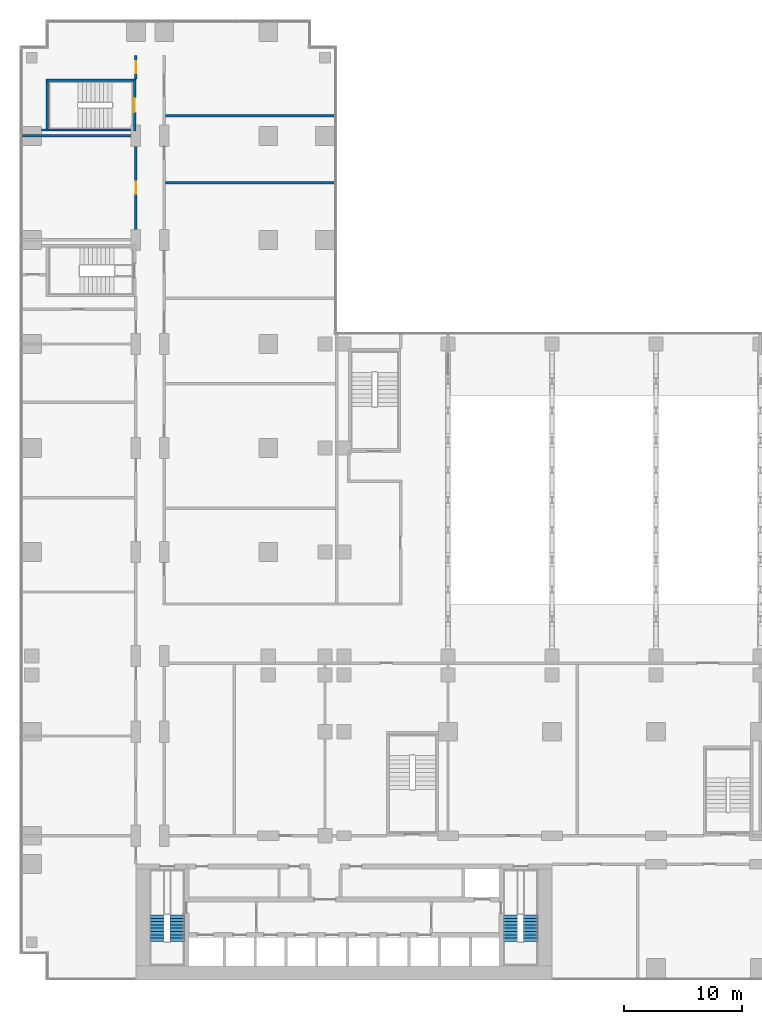
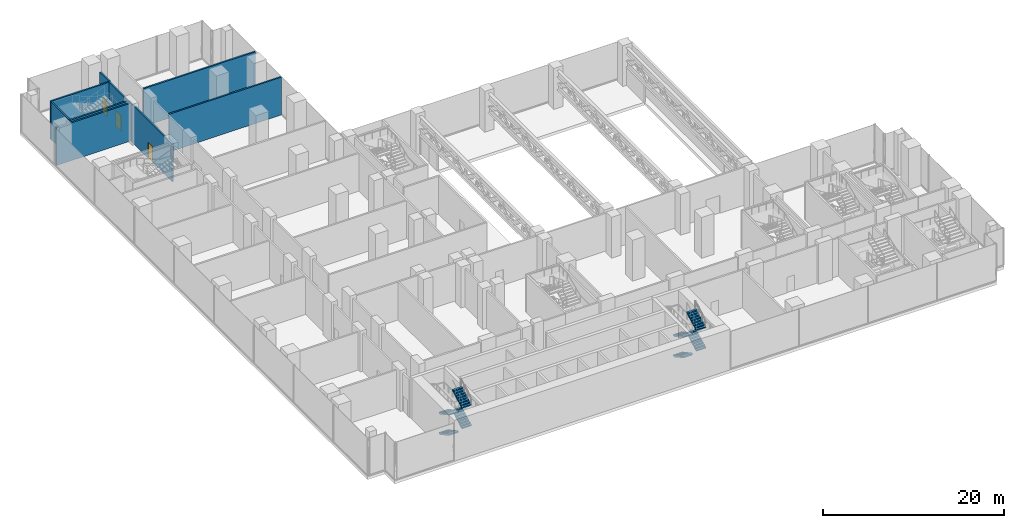
# One storey, part 22 of 30: 9 walls, 8 stair flights, 3 doors, 3 openings, 2 elements without a shape of their own.
"""IFC4 building model written with IfcOpenShell, lengths in metres."""

from ifc_helpers import new_model, si_unit, direction, frame, frame_2d, origin, place, context, subcontext, project, spatial, polyline, rectangle, outline, extrude, material, layer, layer_set, type_object, element, fill, aggregate, save


model = new_model("IFC4")

# Units and contexts
model_context = context("Model", 3, precision=1e-05, world=origin(), true_north=direction((0.0, 1.0)))
body_context = subcontext(model_context, "Body", "Model", "MODEL_VIEW")
ifc_project = project(units=[si_unit("LENGTHUNIT", "METRE"), si_unit("AREAUNIT", "SQUARE_METRE"), si_unit("VOLUMEUNIT", "CUBIC_METRE"), si_unit("PLANEANGLEUNIT", "RADIAN"), si_unit("MASSUNIT", "GRAM", prefix="KILO")], contexts=[model_context])

# Site, building, storey
site_placement = place(None, origin())
site = spatial("IfcSite", under=ifc_project, at=site_placement, CompositionType="ELEMENT")
building_placement = place(site_placement, origin())
building = spatial("IfcBuilding", under=site, at=building_placement, Name="Kemantara Hotel Tower", CompositionType="ELEMENT")
storey_placement = place(building_placement, frame((0.0, 0.0, 23.5)))
storey = spatial("IfcBuildingStorey", under=building, at=storey_placement, Name="L04", CompositionType="ELEMENT", Elevation=23.5)

# Wall, opening, door
ifc_material_1 = material(Name="Concrete fc 40 MPa", Category="concrete")
ifc_layer_1 = layer(ifc_material_1, 0.199951171875)
ifc_layer_set_1 = layer_set([ifc_layer_1], Name="Concrete fc 40 MPa")
wall_type_1 = type_object("IfcWallType", Name="Concrete stair wall 200 mm", PredefinedType="SHEAR", material=ifc_layer_set_1)
wall_1_placement = place(storey_placement, frame((9.699951171875, 71.800048828125, 0.0), z_axis=(0.0, 0.0, 1.0), x_axis=(0.0, 1.0, 0.0)))
wall_1 = element("IfcWall", 1, at=wall_1_placement, inside=storey, type_object=wall_type_1, Name="Stair ST6 enclosure wall with door", PredefinedType="SHEAR", context=body_context, shape_type="SweptSolid", body=[
    extrude(rectangle(XDim=4.39990234375, YDim=0.199951171875, at=frame_2d((2.199951171875, 0.0))), origin(), (0.0, 0.0, 1.0), 5.10009765625),
])
opening_1_placement = place(wall_1_placement, frame((1.60009765625, 0.0, 0.0)))
opening_1 = element("IfcOpeningElement", 2, at=opening_1_placement, cuts=wall_1, Name="Opening ST6-C", PredefinedType="OPENING", context=body_context, shape_type="SweptSolid", body=[
    extrude(rectangle(XDim=1.199951171875, YDim=2.10009765625, at=frame_2d((0.60009765625, 1.050048828125))), frame((0.0, 0.10986328125, 0.0), z_axis=(0.0, -1.0, 0.0), x_axis=(1.0, 0.0, 0.0)), (0.0, 0.0, 1.0), 0.219970703125),
])
ifc_material_2 = material(Name="Steel fire door", Category="steel")
door_type_1 = type_object("IfcDoorType", Name="Fire door FD90 1200 x 2100", OperationType="NOTDEFINED", PredefinedType="DOOR", material=ifc_material_2)
door_1_placement = place(opening_1_placement, origin())
door_1 = element("IfcDoor", 3, at=door_1_placement, inside=storey, type_object=door_type_1, Name="Stair ST6 door", OperationType="SINGLE_SWING_RIGHT", OverallHeight=2.10009765625, OverallWidth=1.199951171875, PredefinedType="DOOR", context=body_context, shape_type="SweptSolid", body=[
    extrude(rectangle(XDim=1.199951171875, YDim=2.10009765625, at=frame_2d((0.60009765625, 1.050048828125))), frame((0.0, 0.02490234375, 0.0), z_axis=(0.0, -1.0, 0.0), x_axis=(1.0, 0.0, 0.0)), (0.0, 0.0, 1.0), 0.050048828125),
])
fill(opening_1, door_1)

# Walls
wall_2_placement = place(storey_placement, frame((2.199951171875, 76.10009765625, 0.0), z_axis=(0.0, 0.0, 1.0), x_axis=(1.0, 0.0, 0.0)))
element("IfcWall", 4, at=wall_2_placement, inside=storey, type_object=wall_type_1, Name="Stair ST6 enclosure wall N", PredefinedType="SHEAR", context=body_context, shape_type="SweptSolid", body=[
    extrude(rectangle(XDim=7.400146484375, YDim=0.199951171875, at=frame_2d((3.7001953125, 0.0))), origin(), (0.0, 0.0, 1.0), 5.10009765625),
])
wall_3_placement = place(storey_placement, frame((1.800048828125, 71.89990234375, 0.0), z_axis=(0.0, 0.0, 1.0), x_axis=(1.0, 0.0, 0.0)))
element("IfcWall", 5, at=wall_3_placement, inside=storey, type_object=wall_type_1, Name="Stair ST6 enclosure wall S", PredefinedType="SHEAR", context=body_context, shape_type="SweptSolid", body=[
    extrude(rectangle(XDim=7.800048828125, YDim=0.199951171875, at=frame_2d((3.89990234375, 0.0))), origin(), (0.0, 0.0, 1.0), 5.10009765625),
])
wall_4_placement = place(storey_placement, frame((2.300048828125, 72.0, 0.0), z_axis=(0.0, 0.0, 1.0), x_axis=(0.0, 1.0, 0.0)))
element("IfcWall", 6, at=wall_4_placement, inside=storey, type_object=wall_type_1, Name="Stair ST6 enclosure wall W", PredefinedType="SHEAR", context=body_context, shape_type="SweptSolid", body=[
    extrude(rectangle(XDim=4.0, YDim=0.199951171875, at=frame_2d((2.0, 0.0))), origin(), (0.0, 0.0, 1.0), 5.10009765625),
])

# Wall, opening, door
ifc_material_3 = material(Name="Fire-rated gypsum board partition")
ifc_layer_2 = layer(ifc_material_3, 0.199951171875)
ifc_layer_set_2 = layer_set([ifc_layer_2], Name="Fire-rated gypsum board partition")
wall_type_2 = type_object("IfcWallType", Name="FIRE-RATED GYPSUM PARTITION 200 EI 60", PredefinedType="PARTITIONING", material=ifc_layer_set_2)
wall_5_placement = place(storey_placement, frame((9.800048828125, 62.199951171875, 0.0), z_axis=(0.0, 0.0, 1.0), x_axis=(0.0, 1.0, 0.0)))
wall_5 = element("IfcWall", 7, at=wall_5_placement, inside=storey, type_object=wall_type_2, Name="FIRE-RATED PARTITION", PredefinedType="PARTITIONING", context=body_context, shape_type="SweptSolid", body=[
    extrude(rectangle(XDim=9.60009765625, YDim=0.199951171875, at=frame_2d((4.800048828125, 0.0))), origin(), (0.0, 0.0, 1.0), 5.10009765625),
])
opening_2_placement = place(wall_5_placement, frame((4.300048828125, 0.0, 0.0)))
opening_2 = element("IfcOpeningElement", 8, at=opening_2_placement, cuts=wall_5, Name="Opening L04-B013", PredefinedType="OPENING", context=body_context, shape_type="SweptSolid", body=[
    extrude(rectangle(XDim=1.0, YDim=2.10009765625, at=frame_2d((0.5, 1.050048828125))), frame((0.0, 0.10986328125, 0.0), z_axis=(0.0, -1.0, 0.0), x_axis=(1.0, 0.0, 0.0)), (0.0, 0.0, 1.0), 0.219970703125),
])
ifc_material_4 = material(Name="Timber veneer door leaf", Category="wood")
door_type_2 = type_object("IfcDoorType", Name="SINGLE LEAF TIMBER DOOR 1000 X 2100", OperationType="SINGLE_SWING_LEFT", PredefinedType="DOOR", material=ifc_material_4)
door_2_placement = place(opening_2_placement, origin())
door_2 = element("IfcDoor", 9, at=door_2_placement, inside=storey, type_object=door_type_2, Name="SINGLE LEAF TIMBER DOOR", OperationType="SINGLE_SWING_RIGHT", OverallHeight=2.10009765625, OverallWidth=1.0, PredefinedType="DOOR", context=body_context, shape_type="SweptSolid", body=[
    extrude(rectangle(XDim=1.0, YDim=2.10009765625, at=frame_2d((0.5, 1.050048828125))), frame((0.0, 0.02490234375, 0.0), z_axis=(0.0, -1.0, 0.0), x_axis=(1.0, 0.0, 0.0)), (0.0, 0.0, 1.0), 0.050048828125),
])
fill(opening_2, door_2)

wall_6_placement = place(storey_placement, frame((9.800048828125, 76.199951171875, 0.0), z_axis=(0.0, 0.0, 1.0), x_axis=(0.0, 1.0, 0.0)))
wall_6 = element("IfcWall", 10, at=wall_6_placement, inside=storey, type_object=wall_type_2, Name="FIRE-RATED PARTITION", PredefinedType="PARTITIONING", context=body_context, shape_type="SweptSolid", body=[
    extrude(rectangle(XDim=2.0, YDim=0.199951171875, at=frame_2d((1.0, 0.0))), origin(), (0.0, 0.0, 1.0), 5.10009765625),
])
opening_3_placement = place(wall_6_placement, frame((0.5, 0.0, 0.0)))
opening_3 = element("IfcOpeningElement", 11, at=opening_3_placement, cuts=wall_6, Name="Opening L04-B014", PredefinedType="OPENING", context=body_context, shape_type="SweptSolid", body=[
    extrude(rectangle(XDim=1.0, YDim=2.10009765625, at=frame_2d((0.5, 1.050048828125))), frame((0.0, 0.10986328125, 0.0), z_axis=(0.0, -1.0, 0.0), x_axis=(1.0, 0.0, 0.0)), (0.0, 0.0, 1.0), 0.219970703125),
])
door_3_placement = place(opening_3_placement, origin())
door_3 = element("IfcDoor", 12, at=door_3_placement, inside=storey, type_object=door_type_2, Name="SINGLE LEAF TIMBER DOOR", OperationType="SINGLE_SWING_RIGHT", OverallHeight=2.10009765625, OverallWidth=1.0, PredefinedType="DOOR", context=body_context, shape_type="SweptSolid", body=[
    extrude(rectangle(XDim=1.0, YDim=2.10009765625, at=frame_2d((0.5, 1.050048828125))), frame((0.0, 0.02490234375, 0.0), z_axis=(0.0, -1.0, 0.0), x_axis=(1.0, 0.0, 0.0)), (0.0, 0.0, 1.0), 0.050048828125),
])
fill(opening_3, door_3)

# Walls
ifc_material_5 = material(Name="Gypsum board partition")
ifc_layer_3 = layer(ifc_material_5, 0.199951171875)
ifc_layer_set_3 = layer_set([ifc_layer_3], Name="Gypsum board partition")
wall_type_3 = type_object("IfcWallType", Name="GYPSUM BOARD PARTITION 200", PredefinedType="PARTITIONING", material=ifc_layer_set_3)
wall_7_placement = place(storey_placement, frame((0.199951171875, 71.39990234375, 0.0), z_axis=(0.0, 0.0, 1.0), x_axis=(1.0, 0.0, 0.0)))
element("IfcWall", 13, at=wall_7_placement, inside=storey, type_object=wall_type_3, Name="PARTITION", PredefinedType="PARTITIONING", context=body_context, shape_type="SweptSolid", body=[
    extrude(rectangle(XDim=9.5, YDim=0.199951171875, at=frame_2d((4.75, 0.0))), origin(), (0.0, 0.0, 1.0), 5.10009765625),
])
for number, where, z_axis, x_axis, name in (
    (14, (12.300048828125, 67.429931640625, 0.0), (0.0, 0.0, 1.0), (1.0, 0.0, 0.0), "PARTITION"),
    (15, (12.300048828125, 73.10009765625, 0.0), (0.0, 0.0, 1.0), (1.0, 0.0, 0.0), "PARTITION"),
):
    element("IfcWall", number, at=place(storey_placement, frame(where, z_axis=z_axis, x_axis=x_axis)), inside=storey, type_object=wall_type_3, Name=name, PredefinedType="PARTITIONING", context=body_context, shape_type="SweptSolid", body=[
        extrude(rectangle(XDim=14.300048828125, YDim=0.199951171875, at=frame_2d((7.14990234375, 0.0))), origin(), (0.0, 0.0, 1.0), 5.10009765625),
    ])

# Stair, stair flights
stair_type = type_object("IfcStairType", Name="Stair 1200 wide 36 risers of 153 x 280 mm", PredefinedType="HALF_TURN_STAIR", material=ifc_material_1)
stair_1_placement = place(storey_placement, origin())
stair_1 = element("IfcStair", 16, at=stair_1_placement, inside=storey, type_object=stair_type, Name="L04 Exit stair ST1", PredefinedType="HALF_TURN_STAIR")
stair_flight_type = type_object("IfcStairFlightType", Name="Stair flight 1200 wide 153 x 280 mm", PredefinedType="STRAIGHT", material=ifc_material_1)
stair_flight_1_placement = place(storey_placement, frame((11.60009765625, 5.5, 0.0), z_axis=(0.0, 0.0, 1.0), x_axis=(0.0, -1.0, 0.0)))
stair_flight_1 = element("IfcStairFlight", 17, at=stair_flight_1_placement, type_object=stair_flight_type, Name="ST1 flight 1", NumberOfRisers=9, NumberOfTreads=8, PredefinedType="STRAIGHT", RiserHeight=0.152777778, TreadLength=0.28, context=body_context, shape_type="SweptSolid", body=[
    extrude(outline(polyline([(0.0, 0.0), (0.0, 0.15283203125), (0.280029296875, 0.15283203125), (0.280029296875, 0.3056640625), (0.56005859375, 0.3056640625), (0.56005859375, 0.458251953125), (0.840087890625, 0.458251953125), (0.840087890625, 0.611083984375), (1.1201171875, 0.611083984375), (1.1201171875, 0.763916015625), (1.39990234375, 0.763916015625), (1.39990234375, 0.916748046875), (1.679931640625, 0.916748046875), (1.679931640625, 1.0693359375), (1.9599609375, 1.0693359375), (1.9599609375, 1.22216796875), (2.239990234375, 1.22216796875), (2.239990234375, 1.375), (2.239990234375, 1.051513671875), (0.31298828125, 0.0), (0.0, 0.0)])), frame((0.0, 0.60009765625, 0.0), z_axis=(0.0, -1.0, 0.0), x_axis=(1.0, 0.0, 0.0)), (0.0, 0.0, 1.0), 1.199951171875),
])
stair_flight_2_placement = place(storey_placement, frame((13.300048828125, 3.260009765625, 1.375), z_axis=(0.0, 0.0, 1.0), x_axis=(0.0, 1.0, 0.0)))
stair_flight_2 = element("IfcStairFlight", 18, at=stair_flight_2_placement, type_object=stair_flight_type, Name="ST1 flight 2", NumberOfRisers=9, NumberOfTreads=8, PredefinedType="STRAIGHT", RiserHeight=0.152777778, TreadLength=0.28, context=body_context, shape_type="SweptSolid", body=[
    extrude(outline(polyline([(0.0, 0.0), (0.0, 0.15283203125), (0.280029296875, 0.15283203125), (0.280029296875, 0.3056640625), (0.56005859375, 0.3056640625), (0.56005859375, 0.458251953125), (0.840087890625, 0.458251953125), (0.840087890625, 0.611083984375), (1.1201171875, 0.611083984375), (1.1201171875, 0.763916015625), (1.39990234375, 0.763916015625), (1.39990234375, 0.916748046875), (1.679931640625, 0.916748046875), (1.679931640625, 1.0693359375), (1.9599609375, 1.0693359375), (1.9599609375, 1.22216796875), (2.239990234375, 1.22216796875), (2.239990234375, 1.375), (2.239990234375, 1.051513671875), (0.31298828125, 0.0), (0.0, 0.0)])), frame((0.0, 0.60009765625, 0.0), z_axis=(0.0, -1.0, 0.0), x_axis=(1.0, 0.0, 0.0)), (0.0, 0.0, 1.0), 1.199951171875),
])
stair_flight_3_placement = place(storey_placement, frame((11.60009765625, 5.5, 2.75), z_axis=(0.0, 0.0, 1.0), x_axis=(0.0, -1.0, 0.0)))
stair_flight_3 = element("IfcStairFlight", 19, at=stair_flight_3_placement, type_object=stair_flight_type, Name="ST1 flight 3", NumberOfRisers=9, NumberOfTreads=8, PredefinedType="STRAIGHT", RiserHeight=0.152777778, TreadLength=0.28, context=body_context, shape_type="SweptSolid", body=[
    extrude(outline(polyline([(0.0, 0.0), (0.0, 0.15283203125), (0.280029296875, 0.15283203125), (0.280029296875, 0.3056640625), (0.56005859375, 0.3056640625), (0.56005859375, 0.458251953125), (0.840087890625, 0.458251953125), (0.840087890625, 0.611083984375), (1.1201171875, 0.611083984375), (1.1201171875, 0.763916015625), (1.39990234375, 0.763916015625), (1.39990234375, 0.916748046875), (1.679931640625, 0.916748046875), (1.679931640625, 1.0693359375), (1.9599609375, 1.0693359375), (1.9599609375, 1.22216796875), (2.239990234375, 1.22216796875), (2.239990234375, 1.375), (2.239990234375, 1.051513671875), (0.31298828125, 0.0), (0.0, 0.0)])), frame((0.0, 0.60009765625, 0.0), z_axis=(0.0, -1.0, 0.0), x_axis=(1.0, 0.0, 0.0)), (0.0, 0.0, 1.0), 1.199951171875),
])
stair_flight_4_placement = place(storey_placement, frame((13.300048828125, 3.260009765625, 4.125), z_axis=(0.0, 0.0, 1.0), x_axis=(0.0, 1.0, 0.0)))
stair_flight_4 = element("IfcStairFlight", 20, at=stair_flight_4_placement, type_object=stair_flight_type, Name="ST1 flight 4", NumberOfRisers=9, NumberOfTreads=8, PredefinedType="STRAIGHT", RiserHeight=0.152777778, TreadLength=0.28, context=body_context, shape_type="SweptSolid", body=[
    extrude(outline(polyline([(0.0, 0.0), (0.0, 0.15283203125), (0.280029296875, 0.15283203125), (0.280029296875, 0.3056640625), (0.56005859375, 0.3056640625), (0.56005859375, 0.458251953125), (0.840087890625, 0.458251953125), (0.840087890625, 0.611083984375), (1.1201171875, 0.611083984375), (1.1201171875, 0.763916015625), (1.39990234375, 0.763916015625), (1.39990234375, 0.916748046875), (1.679931640625, 0.916748046875), (1.679931640625, 1.0693359375), (1.9599609375, 1.0693359375), (1.9599609375, 1.22216796875), (2.239990234375, 1.22216796875), (2.239990234375, 1.375), (2.239990234375, 1.051513671875), (0.31298828125, 0.0), (0.0, 0.0)])), frame((0.0, 0.60009765625, 0.0), z_axis=(0.0, -1.0, 0.0), x_axis=(1.0, 0.0, 0.0)), (0.0, 0.0, 1.0), 1.199951171875),
])
aggregate(stair_1, [stair_flight_1, stair_flight_2, stair_flight_3, stair_flight_4])

stair_2_placement = place(storey_placement, origin())
stair_2 = element("IfcStair", 21, at=stair_2_placement, inside=storey, type_object=stair_type, Name="L04 Exit stair ST2", PredefinedType="HALF_TURN_STAIR")
stair_flight_5_placement = place(storey_placement, frame((41.5, 5.5, 0.0), z_axis=(0.0, 0.0, 1.0), x_axis=(0.0, -1.0, 0.0)))
stair_flight_5 = element("IfcStairFlight", 22, at=stair_flight_5_placement, type_object=stair_flight_type, Name="ST2 flight 1", NumberOfRisers=9, NumberOfTreads=8, PredefinedType="STRAIGHT", RiserHeight=0.152777778, TreadLength=0.28, context=body_context, shape_type="SweptSolid", body=[
    extrude(outline(polyline([(0.0, 0.0), (0.0, 0.15283203125), (0.280029296875, 0.15283203125), (0.280029296875, 0.3056640625), (0.56005859375, 0.3056640625), (0.56005859375, 0.458251953125), (0.840087890625, 0.458251953125), (0.840087890625, 0.611083984375), (1.1201171875, 0.611083984375), (1.1201171875, 0.763916015625), (1.39990234375, 0.763916015625), (1.39990234375, 0.916748046875), (1.679931640625, 0.916748046875), (1.679931640625, 1.0693359375), (1.9599609375, 1.0693359375), (1.9599609375, 1.22216796875), (2.239990234375, 1.22216796875), (2.239990234375, 1.375), (2.239990234375, 1.051513671875), (0.31298828125, 0.0), (0.0, 0.0)])), frame((0.0, 0.60009765625, 0.0), z_axis=(0.0, -1.0, 0.0), x_axis=(1.0, 0.0, 0.0)), (0.0, 0.0, 1.0), 1.199951171875),
])
stair_flight_6_placement = place(storey_placement, frame((43.199951171875, 3.260009765625, 1.375), z_axis=(0.0, 0.0, 1.0), x_axis=(0.0, 1.0, 0.0)))
stair_flight_6 = element("IfcStairFlight", 23, at=stair_flight_6_placement, type_object=stair_flight_type, Name="ST2 flight 2", NumberOfRisers=9, NumberOfTreads=8, PredefinedType="STRAIGHT", RiserHeight=0.152777778, TreadLength=0.28, context=body_context, shape_type="SweptSolid", body=[
    extrude(outline(polyline([(0.0, 0.0), (0.0, 0.15283203125), (0.280029296875, 0.15283203125), (0.280029296875, 0.3056640625), (0.56005859375, 0.3056640625), (0.56005859375, 0.458251953125), (0.840087890625, 0.458251953125), (0.840087890625, 0.611083984375), (1.1201171875, 0.611083984375), (1.1201171875, 0.763916015625), (1.39990234375, 0.763916015625), (1.39990234375, 0.916748046875), (1.679931640625, 0.916748046875), (1.679931640625, 1.0693359375), (1.9599609375, 1.0693359375), (1.9599609375, 1.22216796875), (2.239990234375, 1.22216796875), (2.239990234375, 1.375), (2.239990234375, 1.051513671875), (0.31298828125, 0.0), (0.0, 0.0)])), frame((0.0, 0.60009765625, 0.0), z_axis=(0.0, -1.0, 0.0), x_axis=(1.0, 0.0, 0.0)), (0.0, 0.0, 1.0), 1.199951171875),
])
stair_flight_7_placement = place(storey_placement, frame((41.5, 5.5, 2.75), z_axis=(0.0, 0.0, 1.0), x_axis=(0.0, -1.0, 0.0)))
stair_flight_7 = element("IfcStairFlight", 24, at=stair_flight_7_placement, type_object=stair_flight_type, Name="ST2 flight 3", NumberOfRisers=9, NumberOfTreads=8, PredefinedType="STRAIGHT", RiserHeight=0.152777778, TreadLength=0.28, context=body_context, shape_type="SweptSolid", body=[
    extrude(outline(polyline([(0.0, 0.0), (0.0, 0.15283203125), (0.280029296875, 0.15283203125), (0.280029296875, 0.3056640625), (0.56005859375, 0.3056640625), (0.56005859375, 0.458251953125), (0.840087890625, 0.458251953125), (0.840087890625, 0.611083984375), (1.1201171875, 0.611083984375), (1.1201171875, 0.763916015625), (1.39990234375, 0.763916015625), (1.39990234375, 0.916748046875), (1.679931640625, 0.916748046875), (1.679931640625, 1.0693359375), (1.9599609375, 1.0693359375), (1.9599609375, 1.22216796875), (2.239990234375, 1.22216796875), (2.239990234375, 1.375), (2.239990234375, 1.051513671875), (0.31298828125, 0.0), (0.0, 0.0)])), frame((0.0, 0.60009765625, 0.0), z_axis=(0.0, -1.0, 0.0), x_axis=(1.0, 0.0, 0.0)), (0.0, 0.0, 1.0), 1.199951171875),
])
stair_flight_8_placement = place(storey_placement, frame((43.199951171875, 3.260009765625, 4.125), z_axis=(0.0, 0.0, 1.0), x_axis=(0.0, 1.0, 0.0)))
stair_flight_8 = element("IfcStairFlight", 25, at=stair_flight_8_placement, type_object=stair_flight_type, Name="ST2 flight 4", NumberOfRisers=9, NumberOfTreads=8, PredefinedType="STRAIGHT", RiserHeight=0.152777778, TreadLength=0.28, context=body_context, shape_type="SweptSolid", body=[
    extrude(outline(polyline([(0.0, 0.0), (0.0, 0.15283203125), (0.280029296875, 0.15283203125), (0.280029296875, 0.3056640625), (0.56005859375, 0.3056640625), (0.56005859375, 0.458251953125), (0.840087890625, 0.458251953125), (0.840087890625, 0.611083984375), (1.1201171875, 0.611083984375), (1.1201171875, 0.763916015625), (1.39990234375, 0.763916015625), (1.39990234375, 0.916748046875), (1.679931640625, 0.916748046875), (1.679931640625, 1.0693359375), (1.9599609375, 1.0693359375), (1.9599609375, 1.22216796875), (2.239990234375, 1.22216796875), (2.239990234375, 1.375), (2.239990234375, 1.051513671875), (0.31298828125, 0.0), (0.0, 0.0)])), frame((0.0, 0.60009765625, 0.0), z_axis=(0.0, -1.0, 0.0), x_axis=(1.0, 0.0, 0.0)), (0.0, 0.0, 1.0), 1.199951171875),
])
aggregate(stair_2, [stair_flight_5, stair_flight_6, stair_flight_7, stair_flight_8])

save(model, "model.ifc")
